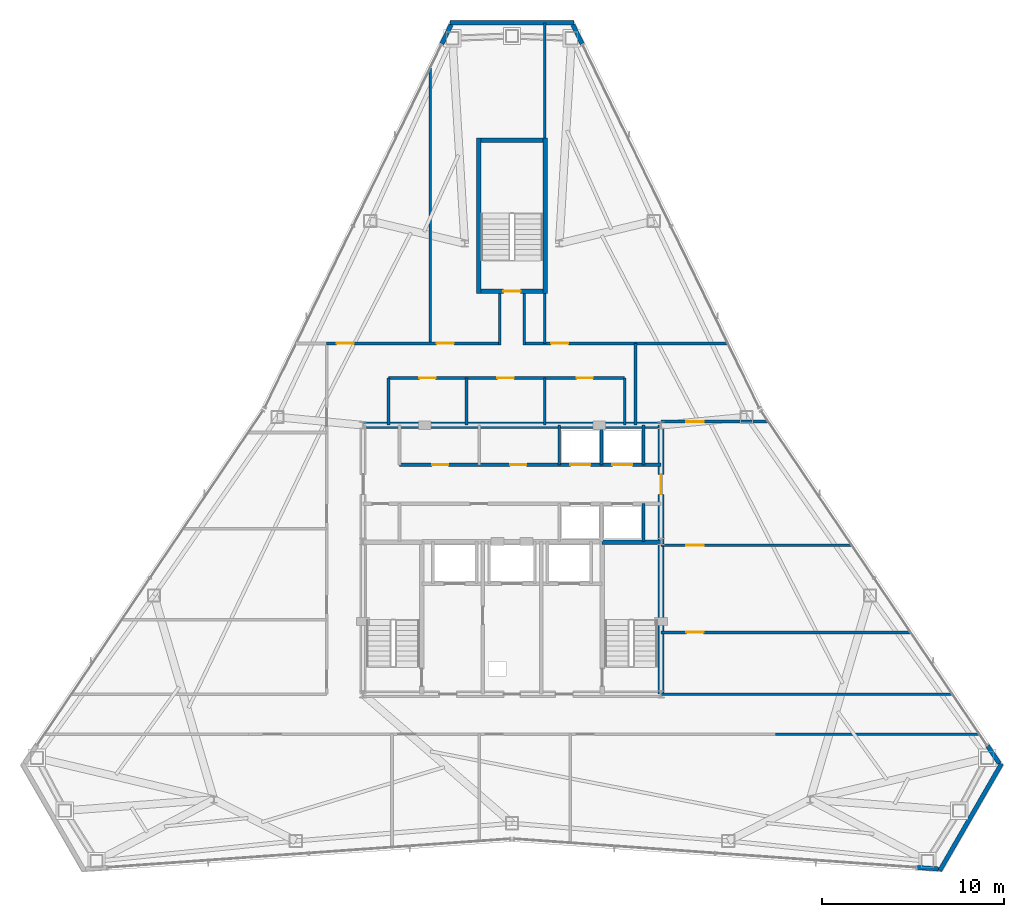
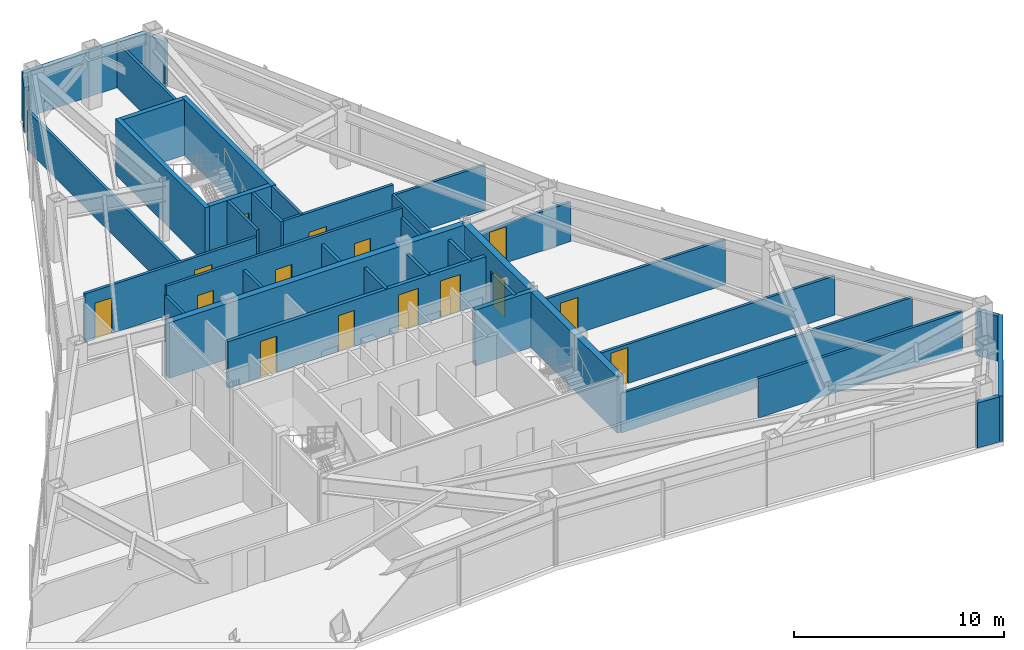
# One storey, part 10 of 12: 37 walls, 15 doors, 15 openings.
"""IFC4 building model written with IfcOpenShell, lengths in metres."""

from ifc_helpers import new_model, si_unit, direction, frame, frame_2d, origin, place, context, subcontext, project, spatial, rectangle, extrude, material, layer, layer_set, type_object, element, fill, save


model = new_model("IFC4")

# Units and contexts
model_context = context("Model", 3, precision=1e-05, world=origin(), true_north=direction((0.0, 1.0)))
body_context = subcontext(model_context, "Body", "Model", "MODEL_VIEW")
ifc_project = project(units=[si_unit("LENGTHUNIT", "METRE"), si_unit("AREAUNIT", "SQUARE_METRE"), si_unit("VOLUMEUNIT", "CUBIC_METRE"), si_unit("PLANEANGLEUNIT", "RADIAN"), si_unit("MASSUNIT", "GRAM", prefix="KILO")], contexts=[model_context])

# Site, building, storey
site_placement = place(None, origin())
site = spatial("IfcSite", under=ifc_project, at=site_placement, CompositionType="ELEMENT")
building_placement = place(site_placement, origin())
building = spatial("IfcBuilding", under=site, at=building_placement, Name="Varakhsha Concourse Tower", CompositionType="ELEMENT")
storey_placement = place(building_placement, frame((0.0, 0.0, 204.89990234375)))
storey = spatial("IfcBuildingStorey", under=building, at=storey_placement, Name="L58", CompositionType="ELEMENT", Elevation=204.89990234375)

# Wall
ifc_material_1 = material(Name="Concrete fc 65 MPa", Category="concrete")
ifc_layer_1 = layer(ifc_material_1, 0.35009765625, Name="WL-CORE-350")
ifc_layer_set_1 = layer_set([ifc_layer_1], Name="Concrete fc 65 MPa")
wall_type_1 = type_object("IfcWallType", Name="WL-CORE-350", PredefinedType="SHEAR", material=ifc_layer_set_1)
wall_1_placement = place(storey_placement, frame((31.800048828125, 31.199951171875, 0.0), z_axis=(0.0, 0.0, 1.0), x_axis=(1.0, 0.0, 0.0)))
element("IfcWall", 1, at=wall_1_placement, inside=storey, type_object=wall_type_1, Name="L58 Wall CWALL-N-L58", PredefinedType="SHEAR", context=body_context, shape_type="SweptSolid", body=[
    extrude(rectangle(XDim=16.39990234375, YDim=0.35009765625, at=frame_2d((8.199951171875, 0.0))), origin(), (0.0, 0.0, 1.0), 3.25),
])

# Wall, opening, door
wall_2_placement = place(storey_placement, frame((48.199951171875, 16.39990234375, 0.0), z_axis=(0.0, 0.0, 1.0), x_axis=(0.0, 1.0, 0.0)))
wall_2 = element("IfcWall", 2, at=wall_2_placement, inside=storey, type_object=wall_type_1, Name="L58 Wall CWALL-E-L58", PredefinedType="SHEAR", context=body_context, shape_type="SweptSolid", body=[
    extrude(rectangle(XDim=14.800048828125, YDim=0.35009765625, at=frame_2d((7.39990234375, 0.0))), origin(), (0.0, 0.0, 1.0), 3.25),
])
opening_1_placement = place(wall_2_placement, frame((11.0, 0.0, 0.0)))
opening_1 = element("IfcOpeningElement", 3, at=opening_1_placement, cuts=wall_2, Name="Opening DL-01", PredefinedType="OPENING", context=body_context, shape_type="SweptSolid", body=[
    extrude(rectangle(XDim=1.10009765625, YDim=2.14990234375, at=frame_2d((0.550048828125, 1.074951171875))), frame((0.0, 0.18505859375, 0.0), z_axis=(0.0, -1.0, 0.0), x_axis=(1.0, 0.0, 0.0)), (0.0, 0.0, 1.0), 0.3701171875),
])
ifc_material_2 = material(Name="Anodised Bronze Architectural Aluminium AA 6063-T6", Category="aluminium")
door_type_1 = type_object("IfcDoorType", Name="DR-LOB-1100", OperationType="NOTDEFINED", PredefinedType="DOOR", material=ifc_material_2)
door_1_placement = place(opening_1_placement, origin())
door_1 = element("IfcDoor", 4, at=door_1_placement, inside=storey, type_object=door_type_1, Name="L58 Lift Lobby East Concourse Door", OperationType="SINGLE_SWING_RIGHT", OverallHeight=2.14990234375, OverallWidth=1.10009765625, PredefinedType="DOOR", context=body_context, shape_type="SweptSolid", body=[
    extrude(rectangle(XDim=1.10009765625, YDim=2.14990234375, at=frame_2d((0.550048828125, 1.074951171875))), frame((0.0, 0.02490234375, 0.0), z_axis=(0.0, -1.0, 0.0), x_axis=(1.0, 0.0, 0.0)), (0.0, 0.0, 1.0), 0.050048828125),
])
fill(opening_1, door_1)

# Walls
ifc_material_3 = material(Name="Concrete fc 45 MPa", Category="concrete")
ifc_layer_2 = layer(ifc_material_3, 0.239990234375, Name="WL-EXT-CRN-240")
ifc_layer_set_2 = layer_set([ifc_layer_2], Name="Concrete fc 45 MPa")
wall_type_2 = type_object("IfcWallType", Name="WL-EXT-CRN-240", PredefinedType="SHEAR", material=ifc_layer_set_2)
wall_3_placement = place(storey_placement, frame((36.60009765625, 53.337646484375, 0.0), z_axis=(0.0, 0.0, 1.0), x_axis=(1.0, 0.0, 0.0)))
element("IfcWall", 5, at=wall_3_placement, inside=storey, type_object=wall_type_2, Name="L58 Chamfer Wind-Corner Insulated Wall F1", PredefinedType="SHEAR", context=body_context, shape_type="SweptSolid", body=[
    extrude(rectangle(XDim=6.7998046875, YDim=0.239990234375, at=frame_2d((3.39990234375, 0.0))), origin(), (0.0, 0.0, 1.0), 2.623046875),
])
for number, where, z_axis, x_axis, name in (
    (6, (36.647705078125, 53.22998046875, 0.0), (0.0, 0.0, 1.0), (-0.437570803519, -0.89918395888, 0.0), "L58 Wind-Corner Shoulder Wall F2"),
    (7, (62.2998046875, 6.864501953125, 0.0), (0.0, 0.0, 1.0), (0.997485162718, -0.070875596345, 0.0), "L58 Wind-Corner Shoulder Wall F6"),
):
    element("IfcWall", number, at=place(storey_placement, frame(where, z_axis=z_axis, x_axis=x_axis)), inside=storey, type_object=wall_type_2, Name=name, PredefinedType="SHEAR", context=body_context, shape_type="SweptSolid", body=[
        extrude(rectangle(XDim=1.167724609375, YDim=0.239990234375, at=frame_2d((0.583984375, 0.0))), origin(), (0.0, 0.0, 1.0), 2.623046875),
    ])
wall_4_placement = place(storey_placement, frame((66.93408203125, 12.57568359375, 0.0), z_axis=(0.0, 0.0, 1.0), x_axis=(-0.500004222222, -0.866022966069, 0.0)))
element("IfcWall", 8, at=wall_4_placement, inside=storey, type_object=wall_type_2, Name="L58 Chamfer Wind-Corner Insulated Wall F7", PredefinedType="SHEAR", context=body_context, shape_type="SweptSolid", body=[
    extrude(rectangle(XDim=6.80029296875, YDim=0.239990234375, at=frame_2d((3.400146484375, 0.0))), origin(), (0.0, 0.0, 1.0), 2.623046875),
])
wall_5_placement = place(storey_placement, frame((66.81689453125, 12.58837890625, 0.0), z_axis=(0.0, 0.0, 1.0), x_axis=(-0.559997089768, 0.828494574183, 0.0)))
element("IfcWall", 9, at=wall_5_placement, inside=storey, type_object=wall_type_2, Name="L58 Wind-Corner Shoulder Wall F8", PredefinedType="SHEAR", context=body_context, shape_type="SweptSolid", body=[
    extrude(rectangle(XDim=1.16748046875, YDim=0.239990234375, at=frame_2d((0.583740234375, 0.0))), origin(), (0.0, 0.0, 1.0), 2.623046875),
])
wall_6_placement = place(storey_placement, frame((43.86328125, 52.179931640625, 0.0), z_axis=(0.0, 0.0, 1.0), x_axis=(-0.437570803519, 0.89918395888, 0.0)))
element("IfcWall", 10, at=wall_6_placement, inside=storey, type_object=wall_type_2, Name="L58 Wind-Corner Shoulder Wall F9", PredefinedType="SHEAR", context=body_context, shape_type="SweptSolid", body=[
    extrude(rectangle(XDim=1.167724609375, YDim=0.239990234375, at=frame_2d((0.583984375, 0.0))), origin(), (0.0, 0.0, 1.0), 2.623046875),
])

# Wall, openings, doors
ifc_material_4 = material(Name="Fire-Rated Type X Gypsum Partition Assembly", Category="gypsum")
ifc_layer_3 = layer(ifc_material_4, 0.14990234375, Name="WL-PART-150")
ifc_layer_set_3 = layer_set([ifc_layer_3], Name="Fire-Rated Type X Gypsum Partition Assembly")
wall_type_3 = type_object("IfcWallType", Name="WL-PART-150", PredefinedType="PARTITIONING", material=ifc_layer_set_3)
wall_7_placement = place(storey_placement, frame((33.199951171875, 33.800048828125, 0.0), z_axis=(0.0, 0.0, 1.0), x_axis=(1.0, 0.0, 0.0)))
wall_7 = element("IfcWall", 11, at=wall_7_placement, inside=storey, type_object=wall_type_3, Name="L58 Wall NBOH-N-L58", PredefinedType="PARTITIONING", context=body_context, shape_type="SweptSolid", body=[
    extrude(rectangle(XDim=13.0, YDim=0.14990234375, at=frame_2d((6.5, 0.0))), origin(), (0.0, 0.0, 1.0), 3.25),
])
opening_2_placement = place(wall_7_placement, frame((1.699951171875, 0.0, 0.0)))
opening_2 = element("IfcOpeningElement", 12, at=opening_2_placement, cuts=wall_7, Name="Opening DF-06", PredefinedType="OPENING", context=body_context, shape_type="SweptSolid", body=[
    extrude(rectangle(XDim=0.89990234375, YDim=2.10009765625, at=frame_2d((0.449951171875, 1.050048828125))), frame((0.0, 0.0849609375, 0.0), z_axis=(0.0, -1.0, 0.0), x_axis=(1.0, 0.0, 0.0)), (0.0, 0.0, 1.0), 0.169921875),
])
opening_3_placement = place(wall_7_placement, frame((6.0, 0.0, 0.0)))
opening_3 = element("IfcOpeningElement", 13, at=opening_3_placement, cuts=wall_7, Name="Opening DF-06", PredefinedType="OPENING", context=body_context, shape_type="SweptSolid", body=[
    extrude(rectangle(XDim=0.89990234375, YDim=2.10009765625, at=frame_2d((0.449951171875, 1.050048828125))), frame((0.0, 0.0849609375, 0.0), z_axis=(0.0, -1.0, 0.0), x_axis=(1.0, 0.0, 0.0)), (0.0, 0.0, 1.0), 0.169921875),
])
opening_4_placement = place(wall_7_placement, frame((10.35009765625, 0.0, 0.0)))
opening_4 = element("IfcOpeningElement", 14, at=opening_4_placement, cuts=wall_7, Name="Opening DF-06", PredefinedType="OPENING", context=body_context, shape_type="SweptSolid", body=[
    extrude(rectangle(XDim=0.89990234375, YDim=2.10009765625, at=frame_2d((0.449951171875, 1.050048828125))), frame((0.0, 0.0849609375, 0.0), z_axis=(0.0, -1.0, 0.0), x_axis=(1.0, 0.0, 0.0)), (0.0, 0.0, 1.0), 0.169921875),
])
ifc_material_5 = material(Name="Hollow Galvanised Steel Fire Door Assembly", Category="steel")
door_type_2 = type_object("IfcDoorType", Name="DR-FD60-900", OperationType="NOTDEFINED", PredefinedType="DOOR", material=ifc_material_5)
door_2_placement = place(opening_2_placement, origin())
door_2 = element("IfcDoor", 15, at=door_2_placement, inside=storey, type_object=door_type_2, Name="L58 Men Restroom WC Door", OperationType="SINGLE_SWING_LEFT", OverallHeight=2.10009765625, OverallWidth=0.89990234375, PredefinedType="DOOR", context=body_context, shape_type="SweptSolid", body=[
    extrude(rectangle(XDim=0.89990234375, YDim=2.10009765625, at=frame_2d((0.449951171875, 1.050048828125))), frame((0.0, 0.02490234375, 0.0), z_axis=(0.0, -1.0, 0.0), x_axis=(1.0, 0.0, 0.0)), (0.0, 0.0, 1.0), 0.050048828125),
])
fill(opening_2, door_2)
door_3_placement = place(opening_3_placement, origin())
door_3 = element("IfcDoor", 16, at=door_3_placement, inside=storey, type_object=door_type_2, Name="L58 Women Restroom WC Door", OperationType="SINGLE_SWING_RIGHT", OverallHeight=2.10009765625, OverallWidth=0.89990234375, PredefinedType="DOOR", context=body_context, shape_type="SweptSolid", body=[
    extrude(rectangle(XDim=0.89990234375, YDim=2.10009765625, at=frame_2d((0.449951171875, 1.050048828125))), frame((0.0, 0.02490234375, 0.0), z_axis=(0.0, -1.0, 0.0), x_axis=(1.0, 0.0, 0.0)), (0.0, 0.0, 1.0), 0.050048828125),
])
fill(opening_3, door_3)
door_4_placement = place(opening_4_placement, origin())
door_4 = element("IfcDoor", 17, at=door_4_placement, inside=storey, type_object=door_type_2, Name="L58 Accessible WC Door", OperationType="SINGLE_SWING_LEFT", OverallHeight=2.10009765625, OverallWidth=0.89990234375, PredefinedType="DOOR", context=body_context, shape_type="SweptSolid", body=[
    extrude(rectangle(XDim=0.89990234375, YDim=2.10009765625, at=frame_2d((0.449951171875, 1.050048828125))), frame((0.0, 0.02490234375, 0.0), z_axis=(0.0, -1.0, 0.0), x_axis=(1.0, 0.0, 0.0)), (0.0, 0.0, 1.0), 0.050048828125),
])
fill(opening_4, door_4)

# Walls
for number, where, z_axis, x_axis, name in (
    (18, (33.199951171875, 31.199951171875, 0.0), (0.0, 0.0, 1.0), (0.0, 1.0, 0.0), "L58 Wall NBOH-W-L58"),
    (19, (46.199951171875, 31.199951171875, 0.0), (0.0, 0.0, 1.0), (0.0, 1.0, 0.0), "L58 Wall NBOH-E-L58"),
    (20, (37.5, 31.199951171875, 0.0), (0.0, 0.0, 1.0), (0.0, 1.0, 0.0), "L58 Wall NBOH-D1-L58"),
    (21, (41.800048828125, 31.199951171875, 0.0), (0.0, 0.0, 1.0), (0.0, 1.0, 0.0), "L58 Wall NBOH-D2-L58"),
):
    element("IfcWall", number, at=place(storey_placement, frame(where, z_axis=z_axis, x_axis=x_axis)), inside=storey, type_object=wall_type_3, Name=name, PredefinedType="PARTITIONING", context=body_context, shape_type="SweptSolid", body=[
        extrude(rectangle(XDim=2.60009765625, YDim=0.14990234375, at=frame_2d((1.300048828125, 0.0))), origin(), (0.0, 0.0, 1.0), 2.705078125),
    ])
wall_8_placement = place(storey_placement, frame((54.5, 14.199951171875, 0.0), z_axis=(0.0, 0.0, 1.0), x_axis=(1.0, 0.0, 0.0)))
element("IfcWall", 22, at=wall_8_placement, inside=storey, type_object=wall_type_3, Name="L58 Wall CRW-SGAL-SE-L58", PredefinedType="PARTITIONING", context=body_context, shape_type="SweptSolid", body=[
    extrude(rectangle(XDim=11.221435546875, YDim=0.14990234375, at=frame_2d((5.61083984375, 0.0))), origin(), (0.0, 0.0, 1.0), 2.2919921875),
])
wall_9_placement = place(storey_placement, frame((48.199951171875, 16.39990234375, 0.0), z_axis=(0.0, 0.0, 1.0), x_axis=(1.0, 0.0, 0.0)))
element("IfcWall", 23, at=wall_9_placement, inside=storey, type_object=wall_type_3, Name="L58 Wall CRW-SGAL-NE-L58", PredefinedType="PARTITIONING", context=body_context, shape_type="SweptSolid", body=[
    extrude(rectangle(XDim=16.034423828125, YDim=0.14990234375, at=frame_2d((8.01708984375, 0.0))), origin(), (0.0, 0.0, 1.0), 2.2919921875),
])

# Wall, openings, doors
wall_10_placement = place(storey_placement, frame((29.800048828125, 35.699951171875, 0.0), z_axis=(0.0, 0.0, 1.0), x_axis=(1.0, 0.0, 0.0)))
wall_10 = element("IfcWall", 24, at=wall_10_placement, inside=storey, type_object=wall_type_3, Name="L58 Wall CRW-N-L58", PredefinedType="PARTITIONING", context=body_context, shape_type="SweptSolid", body=[
    extrude(rectangle(XDim=9.449951171875, YDim=0.14990234375, at=frame_2d((4.72509765625, 0.0))), origin(), (0.0, 0.0, 1.0), 2.8330078125),
])
opening_5_placement = place(wall_10_placement, frame((0.550048828125, 0.0, 0.0)))
opening_5 = element("IfcOpeningElement", 25, at=opening_5_placement, cuts=wall_10, Name="Opening DF-05", PredefinedType="OPENING", context=body_context, shape_type="SweptSolid", body=[
    extrude(rectangle(XDim=0.949951171875, YDim=2.10009765625, at=frame_2d((0.47509765625, 1.050048828125))), frame((0.0, 0.0849609375, 0.0), z_axis=(0.0, -1.0, 0.0), x_axis=(1.0, 0.0, 0.0)), (0.0, 0.0, 1.0), 0.169921875),
])
opening_6_placement = place(wall_10_placement, frame((6.050048828125, 0.0, 0.0)))
opening_6 = element("IfcOpeningElement", 26, at=opening_6_placement, cuts=wall_10, Name="Opening DF-05", PredefinedType="OPENING", context=body_context, shape_type="SweptSolid", body=[
    extrude(rectangle(XDim=0.949951171875, YDim=2.10009765625, at=frame_2d((0.47509765625, 1.050048828125))), frame((0.0, 0.0849609375, 0.0), z_axis=(0.0, -1.0, 0.0), x_axis=(1.0, 0.0, 0.0)), (0.0, 0.0, 1.0), 0.169921875),
])
door_type_3 = type_object("IfcDoorType", Name="DR-FD60-950", OperationType="NOTDEFINED", PredefinedType="DOOR", material=ifc_material_5)
door_5_placement = place(opening_5_placement, origin())
door_5 = element("IfcDoor", 27, at=door_5_placement, inside=storey, type_object=door_type_3, Name="L58 Mountain View Grand Corner Boardroom L58-N1 Door", OperationType="SINGLE_SWING_LEFT", OverallHeight=2.10009765625, OverallWidth=0.949951171875, PredefinedType="DOOR", context=body_context, shape_type="SweptSolid", body=[
    extrude(rectangle(XDim=0.949951171875, YDim=2.10009765625, at=frame_2d((0.47509765625, 1.050048828125))), frame((0.0, 0.02490234375, 0.0), z_axis=(0.0, -1.0, 0.0), x_axis=(1.0, 0.0, 0.0)), (0.0, 0.0, 1.0), 0.050048828125),
])
fill(opening_5, door_5)
door_6_placement = place(opening_6_placement, origin())
door_6 = element("IfcDoor", 28, at=door_6_placement, inside=storey, type_object=door_type_3, Name="L58 North Executive Director Suite L58-N2 Door", OperationType="SINGLE_SWING_RIGHT", OverallHeight=2.10009765625, OverallWidth=0.949951171875, PredefinedType="DOOR", context=body_context, shape_type="SweptSolid", body=[
    extrude(rectangle(XDim=0.949951171875, YDim=2.10009765625, at=frame_2d((0.47509765625, 1.050048828125))), frame((0.0, 0.02490234375, 0.0), z_axis=(0.0, -1.0, 0.0), x_axis=(1.0, 0.0, 0.0)), (0.0, 0.0, 1.0), 0.050048828125),
])
fill(opening_6, door_6)

# Wall, opening, door
wall_11_placement = place(storey_placement, frame((40.75, 35.699951171875, 0.0), z_axis=(0.0, 0.0, 1.0), x_axis=(1.0, 0.0, 0.0)))
wall_11 = element("IfcWall", 29, at=wall_11_placement, inside=storey, type_object=wall_type_3, Name="L58 Wall CRW-N-L58-B", PredefinedType="PARTITIONING", context=body_context, shape_type="SweptSolid", body=[
    extrude(rectangle(XDim=6.050048828125, YDim=0.14990234375, at=frame_2d((3.02490234375, 0.0))), origin(), (0.0, 0.0, 1.0), 3.25),
])
opening_7_placement = place(wall_11_placement, frame((1.39990234375, 0.0, 0.0)))
opening_7 = element("IfcOpeningElement", 30, at=opening_7_placement, cuts=wall_11, Name="Opening DF-05", PredefinedType="OPENING", context=body_context, shape_type="SweptSolid", body=[
    extrude(rectangle(XDim=0.949951171875, YDim=2.10009765625, at=frame_2d((0.47509765625, 1.050048828125))), frame((0.0, 0.0849609375, 0.0), z_axis=(0.0, -1.0, 0.0), x_axis=(1.0, 0.0, 0.0)), (0.0, 0.0, 1.0), 0.169921875),
])
door_7_placement = place(opening_7_placement, origin())
door_7 = element("IfcDoor", 31, at=door_7_placement, inside=storey, type_object=door_type_3, Name="L58 North Executive Director Suite L58-N3 Door", OperationType="SINGLE_SWING_LEFT", OverallHeight=2.10009765625, OverallWidth=0.949951171875, PredefinedType="DOOR", context=body_context, shape_type="SweptSolid", body=[
    extrude(rectangle(XDim=0.949951171875, YDim=2.10009765625, at=frame_2d((0.47509765625, 1.050048828125))), frame((0.0, 0.02490234375, 0.0), z_axis=(0.0, -1.0, 0.0), x_axis=(1.0, 0.0, 0.0)), (0.0, 0.0, 1.0), 0.050048828125),
])
fill(opening_7, door_7)

# Walls
wall_12_placement = place(storey_placement, frame((46.800048828125, 31.199951171875, 0.0), z_axis=(0.0, 0.0, 1.0), x_axis=(0.0, 1.0, 0.0)))
element("IfcWall", 32, at=wall_12_placement, inside=storey, type_object=wall_type_3, Name="L58 Wall CRW-NE-L58", PredefinedType="PARTITIONING", context=body_context, shape_type="SweptSolid", body=[
    extrude(rectangle(XDim=4.5, YDim=0.14990234375, at=frame_2d((2.25, 0.0))), origin(), (0.0, 0.0, 1.0), 2.705078125),
])
wall_13_placement = place(storey_placement, frame((46.800048828125, 35.699951171875, 0.0), z_axis=(0.0, 0.0, 1.0), x_axis=(1.0, 0.0, 0.0)))
element("IfcWall", 33, at=wall_13_placement, inside=storey, type_object=wall_type_3, Name="L58 Wall ODIV-EBN-L58", PredefinedType="PARTITIONING", context=body_context, shape_type="SweptSolid", body=[
    extrude(rectangle(XDim=5.07568359375, YDim=0.14990234375, at=frame_2d((2.537841796875, 0.0))), origin(), (0.0, 0.0, 1.0), 2.628173828125),
])

# Wall, opening, door
wall_14_placement = place(storey_placement, frame((48.199951171875, 19.800048828125, 0.0), z_axis=(0.0, 0.0, 1.0), x_axis=(1.0, 0.0, 0.0)))
wall_14 = element("IfcWall", 34, at=wall_14_placement, inside=storey, type_object=wall_type_3, Name="L58 Wall ODIV-E1-L58", PredefinedType="PARTITIONING", context=body_context, shape_type="SweptSolid", body=[
    extrude(rectangle(XDim=13.736328125, YDim=0.14990234375, at=frame_2d((6.8681640625, 0.0))), origin(), (0.0, 0.0, 1.0), 2.2919921875),
])
opening_8_placement = place(wall_14_placement, frame((1.39990234375, 0.0, 0.0)))
opening_8 = element("IfcOpeningElement", 35, at=opening_8_placement, cuts=wall_14, Name="Opening DF-05", PredefinedType="OPENING", context=body_context, shape_type="SweptSolid", body=[
    extrude(rectangle(XDim=0.949951171875, YDim=2.10009765625, at=frame_2d((0.47509765625, 1.050048828125))), frame((0.0, 0.0849609375, 0.0), z_axis=(0.0, -1.0, 0.0), x_axis=(1.0, 0.0, 0.0)), (0.0, 0.0, 1.0), 0.169921875),
])
door_8_placement = place(opening_8_placement, origin())
door_8 = element("IfcDoor", 36, at=door_8_placement, inside=storey, type_object=door_type_3, Name="L58 East Suite Interconnect Door 1", OperationType="SINGLE_SWING_LEFT", OverallHeight=2.10009765625, OverallWidth=0.949951171875, PredefinedType="DOOR", context=body_context, shape_type="SweptSolid", body=[
    extrude(rectangle(XDim=0.949951171875, YDim=2.10009765625, at=frame_2d((0.47509765625, 1.050048828125))), frame((0.0, 0.02490234375, 0.0), z_axis=(0.0, -1.0, 0.0), x_axis=(1.0, 0.0, 0.0)), (0.0, 0.0, 1.0), 0.050048828125),
])
fill(opening_8, door_8)

wall_15_placement = place(storey_placement, frame((48.199951171875, 24.60009765625, 0.0), z_axis=(0.0, 0.0, 1.0), x_axis=(1.0, 0.0, 0.0)))
wall_15 = element("IfcWall", 37, at=wall_15_placement, inside=storey, type_object=wall_type_3, Name="L58 Wall ODIV-E2-L58", PredefinedType="PARTITIONING", context=body_context, shape_type="SweptSolid", body=[
    extrude(rectangle(XDim=10.491943359375, YDim=0.14990234375, at=frame_2d((5.24609375, 0.0))), origin(), (0.0, 0.0, 1.0), 2.628173828125),
])
opening_9_placement = place(wall_15_placement, frame((1.39990234375, 0.0, 0.0)))
opening_9 = element("IfcOpeningElement", 38, at=opening_9_placement, cuts=wall_15, Name="Opening DF-05", PredefinedType="OPENING", context=body_context, shape_type="SweptSolid", body=[
    extrude(rectangle(XDim=0.949951171875, YDim=2.10009765625, at=frame_2d((0.47509765625, 1.050048828125))), frame((0.0, 0.0849609375, 0.0), z_axis=(0.0, -1.0, 0.0), x_axis=(1.0, 0.0, 0.0)), (0.0, 0.0, 1.0), 0.169921875),
])
door_9_placement = place(opening_9_placement, origin())
door_9 = element("IfcDoor", 39, at=door_9_placement, inside=storey, type_object=door_type_3, Name="L58 East Suite Interconnect Door 2", OperationType="SINGLE_SWING_RIGHT", OverallHeight=2.10009765625, OverallWidth=0.949951171875, PredefinedType="DOOR", context=body_context, shape_type="SweptSolid", body=[
    extrude(rectangle(XDim=0.949951171875, YDim=2.10009765625, at=frame_2d((0.47509765625, 1.050048828125))), frame((0.0, 0.02490234375, 0.0), z_axis=(0.0, -1.0, 0.0), x_axis=(1.0, 0.0, 0.0)), (0.0, 0.0, 1.0), 0.050048828125),
])
fill(opening_9, door_9)

wall_16_placement = place(storey_placement, frame((48.199951171875, 31.39990234375, 0.0), z_axis=(0.0, 0.0, 1.0), x_axis=(1.0, 0.0, 0.0)))
wall_16 = element("IfcWall", 40, at=wall_16_placement, inside=storey, type_object=wall_type_3, Name="L58 Wall ODIV-E3-L58", PredefinedType="PARTITIONING", context=body_context, shape_type="SweptSolid", body=[
    extrude(rectangle(XDim=5.895751953125, YDim=0.14990234375, at=frame_2d((2.94775390625, 0.0))), origin(), (0.0, 0.0, 1.0), 2.2919921875),
])
opening_10_placement = place(wall_16_placement, frame((1.39990234375, 0.0, 0.0)))
opening_10 = element("IfcOpeningElement", 41, at=opening_10_placement, cuts=wall_16, Name="Opening DF-05", PredefinedType="OPENING", context=body_context, shape_type="SweptSolid", body=[
    extrude(rectangle(XDim=0.949951171875, YDim=2.10009765625, at=frame_2d((0.47509765625, 1.050048828125))), frame((0.0, 0.0849609375, 0.0), z_axis=(0.0, -1.0, 0.0), x_axis=(1.0, 0.0, 0.0)), (0.0, 0.0, 1.0), 0.169921875),
])
door_10_placement = place(opening_10_placement, origin())
door_10 = element("IfcDoor", 42, at=door_10_placement, inside=storey, type_object=door_type_3, Name="L58 East Suite Interconnect Door 3", OperationType="SINGLE_SWING_LEFT", OverallHeight=2.10009765625, OverallWidth=0.949951171875, PredefinedType="DOOR", context=body_context, shape_type="SweptSolid", body=[
    extrude(rectangle(XDim=0.949951171875, YDim=2.10009765625, at=frame_2d((0.47509765625, 1.050048828125))), frame((0.0, 0.02490234375, 0.0), z_axis=(0.0, -1.0, 0.0), x_axis=(1.0, 0.0, 0.0)), (0.0, 0.0, 1.0), 0.050048828125),
])
fill(opening_10, door_10)

# Walls
wall_17_placement = place(storey_placement, frame((35.5, 35.699951171875, 0.0), z_axis=(0.0, 0.0, 1.0), x_axis=(0.0, 1.0, 0.0)))
element("IfcWall", 43, at=wall_17_placement, inside=storey, type_object=wall_type_3, Name="L58 Wall ODIV-N1-L58", PredefinedType="PARTITIONING", context=body_context, shape_type="SweptSolid", body=[
    extrude(rectangle(XDim=15.15966796875, YDim=0.14990234375, at=frame_2d((7.579833984375, 0.0))), origin(), (0.0, 0.0, 1.0), 2.2919921875),
])
wall_18_placement = place(storey_placement, frame((41.800048828125, 35.699951171875, 0.0), z_axis=(0.0, 0.0, 1.0), x_axis=(0.0, 1.0, 0.0)))
element("IfcWall", 44, at=wall_18_placement, inside=storey, type_object=wall_type_3, Name="L58 Wall ODIV-N2-L58", PredefinedType="PARTITIONING", context=body_context, shape_type="SweptSolid", body=[
    extrude(rectangle(XDim=2.75, YDim=0.14990234375, at=frame_2d((1.375, 0.0))), origin(), (0.0, 0.0, 1.0), 3.25),
])
wall_19_placement = place(storey_placement, frame((41.800048828125, 47.0, 0.0), z_axis=(0.0, 0.0, 1.0), x_axis=(0.0, 1.0, 0.0)))
element("IfcWall", 45, at=wall_19_placement, inside=storey, type_object=wall_type_3, Name="L58 Wall ODIV-N2-L58-B", PredefinedType="PARTITIONING", context=body_context, shape_type="SweptSolid", body=[
    extrude(rectangle(XDim=6.332763671875, YDim=0.14990234375, at=frame_2d((3.16650390625, 0.0))), origin(), (0.0, 0.0, 1.0), 2.628173828125),
])
for number, where, z_axis, x_axis, name in (
    (46, (39.324951171875, 35.625, 0.0), (0.0, 0.0, 1.0), (0.0, 1.0, 0.0), "L58 Wall STUB-W-L58"),
    (47, (40.675048828125, 35.625, 0.0), (0.0, 0.0, 1.0), (0.0, 1.0, 0.0), "L58 Wall STUB-E-L58"),
):
    element("IfcWall", number, at=place(storey_placement, frame(where, z_axis=z_axis, x_axis=x_axis)), inside=storey, type_object=wall_type_3, Name=name, PredefinedType="PARTITIONING", context=body_context, shape_type="SweptSolid", body=[
        extrude(rectangle(XDim=2.824951171875, YDim=0.14990234375, at=frame_2d((1.41259765625, 0.0))), origin(), (0.0, 0.0, 1.0), 3.25),
    ])

# Wall, openings, doors
ifc_layer_4 = layer(ifc_material_4, 0.199951171875, Name="WL-SHAFT-220")
ifc_layer_set_4 = layer_set([ifc_layer_4], Name="Fire-Rated Type X Gypsum Partition Assembly")
wall_type_4 = type_object("IfcWallType", Name="WL-SHAFT-220", PredefinedType="SOLIDWALL", material=ifc_layer_set_4)
wall_20_placement = place(storey_placement, frame((33.820068359375, 29.02001953125, 0.0), z_axis=(0.0, 0.0, 1.0), x_axis=(1.0, 0.0, 0.0)))
wall_20 = element("IfcWall", 48, at=wall_20_placement, inside=storey, type_object=wall_type_4, Name="L58 Wall PLW-N-L58", PredefinedType="SOLIDWALL", context=body_context, shape_type="SweptSolid", body=[
    extrude(rectangle(XDim=14.3798828125, YDim=0.199951171875, at=frame_2d((7.18994140625, 0.0))), origin(), (0.0, 0.0, 1.0), 2.705078125),
])
opening_11_placement = place(wall_20_placement, frame((1.780029296875, 0.0, 0.0)))
opening_11 = element("IfcOpeningElement", 49, at=opening_11_placement, cuts=wall_20, Name="Opening DF-06", PredefinedType="OPENING", context=body_context, shape_type="SweptSolid", body=[
    extrude(rectangle(XDim=0.89990234375, YDim=2.10009765625, at=frame_2d((0.449951171875, 1.050048828125))), frame((0.0, 0.10986328125, 0.0), z_axis=(0.0, -1.0, 0.0), x_axis=(1.0, 0.0, 0.0)), (0.0, 0.0, 1.0), 0.219970703125),
])
opening_12_placement = place(wall_20_placement, frame((6.070068359375, 0.0, 0.0)))
opening_12 = element("IfcOpeningElement", 50, at=opening_12_placement, cuts=wall_20, Name="Opening DF-06", PredefinedType="OPENING", context=body_context, shape_type="SweptSolid", body=[
    extrude(rectangle(XDim=0.89990234375, YDim=2.10009765625, at=frame_2d((0.449951171875, 1.050048828125))), frame((0.0, 0.10986328125, 0.0), z_axis=(0.0, -1.0, 0.0), x_axis=(1.0, 0.0, 0.0)), (0.0, 0.0, 1.0), 0.219970703125),
])
opening_13_placement = place(wall_20_placement, frame((9.389892578125, 0.0, 0.0)))
opening_13 = element("IfcOpeningElement", 51, at=opening_13_placement, cuts=wall_20, Name="Opening LD-LF-P09", PredefinedType="OPENING", context=body_context, shape_type="SweptSolid", body=[
    extrude(rectangle(XDim=1.10009765625, YDim=2.14990234375, at=frame_2d((0.550048828125, 1.074951171875))), frame((0.0, 0.10986328125, 0.0), z_axis=(0.0, -1.0, 0.0), x_axis=(1.0, 0.0, 0.0)), (0.0, 0.0, 1.0), 0.219970703125),
])
opening_14_placement = place(wall_20_placement, frame((11.7099609375, 0.0, 0.0)))
opening_14 = element("IfcOpeningElement", 52, at=opening_14_placement, cuts=wall_20, Name="Opening LD-LF-P10", PredefinedType="OPENING", context=body_context, shape_type="SweptSolid", body=[
    extrude(rectangle(XDim=1.10009765625, YDim=2.14990234375, at=frame_2d((0.550048828125, 1.074951171875))), frame((0.0, 0.10986328125, 0.0), z_axis=(0.0, -1.0, 0.0), x_axis=(1.0, 0.0, 0.0)), (0.0, 0.0, 1.0), 0.219970703125),
])
door_11_placement = place(opening_11_placement, origin())
door_11 = element("IfcDoor", 53, at=door_11_placement, inside=storey, type_object=door_type_2, Name="L58 Tenant Archive and IT Server Room Door", OperationType="SINGLE_SWING_LEFT", OverallHeight=2.10009765625, OverallWidth=0.89990234375, PredefinedType="DOOR", context=body_context, shape_type="SweptSolid", body=[
    extrude(rectangle(XDim=0.89990234375, YDim=2.10009765625, at=frame_2d((0.449951171875, 1.050048828125))), frame((0.0, 0.02490234375, 0.0), z_axis=(0.0, -1.0, 0.0), x_axis=(1.0, 0.0, 0.0)), (0.0, 0.0, 1.0), 0.050048828125),
])
fill(opening_11, door_11)
door_12_placement = place(opening_12_placement, origin())
door_12 = element("IfcDoor", 54, at=door_12_placement, inside=storey, type_object=door_type_2, Name="L58 Core Facility Closet N1 Door", OperationType="SINGLE_SWING_RIGHT", OverallHeight=2.10009765625, OverallWidth=0.89990234375, PredefinedType="DOOR", context=body_context, shape_type="SweptSolid", body=[
    extrude(rectangle(XDim=0.89990234375, YDim=2.10009765625, at=frame_2d((0.449951171875, 1.050048828125))), frame((0.0, 0.02490234375, 0.0), z_axis=(0.0, -1.0, 0.0), x_axis=(1.0, 0.0, 0.0)), (0.0, 0.0, 1.0), 0.050048828125),
])
fill(opening_12, door_12)
ifc_material_6 = material(Name="Brushed Austenitic Stainless Steel AISI 316", Category="steel")
door_type_4 = type_object("IfcDoorType", Name="DR-LD-1100", OperationType="DOUBLE_DOOR_SLIDING", PredefinedType="DOOR", material=ifc_material_6)
door_13_placement = place(opening_13_placement, origin())
door_13 = element("IfcDoor", 55, at=door_13_placement, inside=storey, type_object=door_type_4, Name="Lift Landing Door LF-P09 L58", OperationType="DOUBLE_DOOR_SLIDING", OverallHeight=2.14990234375, OverallWidth=1.10009765625, PredefinedType="DOOR", context=body_context, shape_type="SweptSolid", body=[
    extrude(rectangle(XDim=1.10009765625, YDim=2.14990234375, at=frame_2d((0.550048828125, 1.074951171875))), frame((0.0, 0.02490234375, 0.0), z_axis=(0.0, -1.0, 0.0), x_axis=(1.0, 0.0, 0.0)), (0.0, 0.0, 1.0), 0.050048828125),
])
fill(opening_13, door_13)
door_14_placement = place(opening_14_placement, origin())
door_14 = element("IfcDoor", 56, at=door_14_placement, inside=storey, type_object=door_type_4, Name="Lift Landing Door LF-P10 L58", OperationType="DOUBLE_DOOR_SLIDING", OverallHeight=2.14990234375, OverallWidth=1.10009765625, PredefinedType="DOOR", context=body_context, shape_type="SweptSolid", body=[
    extrude(rectangle(XDim=1.10009765625, YDim=2.14990234375, at=frame_2d((0.550048828125, 1.074951171875))), frame((0.0, 0.02490234375, 0.0), z_axis=(0.0, -1.0, 0.0), x_axis=(1.0, 0.0, 0.0)), (0.0, 0.0, 1.0), 0.050048828125),
])
fill(opening_14, door_14)

# Walls
for number, where, z_axis, x_axis, name in (
    (57, (42.60009765625, 29.02001953125, 0.0), (0.0, 0.0, 1.0), (0.0, 1.0, 0.0), "L58 Wall SHW-LF-P09-W-L58"),
    (58, (44.919921875, 29.02001953125, 0.0), (0.0, 0.0, 1.0), (0.0, 1.0, 0.0), "L58 Wall SHW-LF-P09-E-L58"),
    (59, (47.239990234375, 29.02001953125, 0.0), (0.0, 0.0, 1.0), (0.0, 1.0, 0.0), "L58 Wall SHW-LF-P10-E-L58"),
):
    element("IfcWall", number, at=place(storey_placement, frame(where, z_axis=z_axis, x_axis=x_axis)), inside=storey, type_object=wall_type_4, Name=name, PredefinedType="SOLIDWALL", context=body_context, shape_type="SweptSolid", body=[
        extrude(rectangle(XDim=2.179931640625, YDim=0.159912109375, at=frame_2d((1.08984375, 0.0))), origin(), (0.0, 0.0, 1.0), 2.705078125),
    ])
wall_21_placement = place(storey_placement, frame((47.239990234375, 24.800048828125, 0.0), z_axis=(0.0, 0.0, 1.0), x_axis=(0.0, 1.0, 0.0)))
element("IfcWall", 60, at=wall_21_placement, inside=storey, type_object=wall_type_4, Name="L58 Wall SHW-LF-P12-E-L58", PredefinedType="SOLIDWALL", context=body_context, shape_type="SweptSolid", body=[
    extrude(rectangle(XDim=2.079833984375, YDim=0.159912109375, at=frame_2d((1.0400390625, 0.0))), origin(), (0.0, 0.0, 1.0), 3.25),
])
ifc_layer_5 = layer(ifc_material_3, 0.25, Name="WL-STAIR-250")
ifc_layer_set_5 = layer_set([ifc_layer_5], Name="Concrete fc 45 MPa")
wall_type_5 = type_object("IfcWallType", Name="WL-STAIR-250", PredefinedType="SHEAR", material=ifc_layer_set_5)
wall_22_placement = place(storey_placement, frame((44.955078125, 24.7548828125, 0.0), z_axis=(0.0, 0.0, 1.0), x_axis=(1.0, 0.0, 0.0)))
element("IfcWall", 61, at=wall_22_placement, inside=storey, type_object=wall_type_5, Name="L58 Wall SWALL-ST2-N-L58", PredefinedType="SHEAR", context=body_context, shape_type="SweptSolid", body=[
    extrude(rectangle(XDim=3.244873046875, YDim=0.25, at=frame_2d((1.62255859375, 0.0))), origin(), (0.0, 0.0, 1.0), 3.25),
])
for number, where, z_axis, x_axis, name in (
    (62, (38.175048828125, 38.449951171875, 0.0), (0.0, 0.0, 1.0), (0.0, 1.0, 0.0), "L58 Wall SWALL-ST5-W-L58"),
    (63, (41.824951171875, 38.449951171875, 0.0), (0.0, 0.0, 1.0), (0.0, 1.0, 0.0), "L58 Wall SWALL-ST5-E-L58"),
):
    element("IfcWall", number, at=place(storey_placement, frame(where, z_axis=z_axis, x_axis=x_axis)), inside=storey, type_object=wall_type_5, Name=name, PredefinedType="SHEAR", context=body_context, shape_type="SweptSolid", body=[
        extrude(rectangle(XDim=8.550048828125, YDim=0.25, at=frame_2d((4.27490234375, 0.0))), origin(), (0.0, 0.0, 1.0), 3.25),
    ])

# Wall, opening, door
wall_23_placement = place(storey_placement, frame((38.300048828125, 38.574951171875, 0.0), z_axis=(0.0, 0.0, 1.0), x_axis=(1.0, 0.0, 0.0)))
wall_23 = element("IfcWall", 64, at=wall_23_placement, inside=storey, type_object=wall_type_5, Name="L58 Wall SWALL-ST5-S-L58", PredefinedType="SHEAR", context=body_context, shape_type="SweptSolid", body=[
    extrude(rectangle(XDim=3.39990234375, YDim=0.25, at=frame_2d((1.699951171875, 0.0))), origin(), (0.0, 0.0, 1.0), 3.25),
])
opening_15_placement = place(wall_23_placement, frame((1.22509765625, 0.0, 0.0)))
opening_15 = element("IfcOpeningElement", 65, at=opening_15_placement, cuts=wall_23, Name="Opening DF-03", PredefinedType="OPENING", context=body_context, shape_type="SweptSolid", body=[
    extrude(rectangle(XDim=0.949951171875, YDim=2.10009765625, at=frame_2d((0.47509765625, 1.050048828125))), frame((0.0, 0.135009765625, 0.0), z_axis=(0.0, -1.0, 0.0), x_axis=(1.0, 0.0, 0.0)), (0.0, 0.0, 1.0), 0.27001953125),
])
door_type_5 = type_object("IfcDoorType", Name="DR-FD90-950", OperationType="NOTDEFINED", PredefinedType="DOOR", material=ifc_material_5)
door_15_placement = place(opening_15_placement, origin())
door_15 = element("IfcDoor", 66, at=door_15_placement, inside=storey, type_object=door_type_5, Name="L58 Stair ST5 Fire Door", OperationType="SINGLE_SWING_RIGHT", OverallHeight=2.10009765625, OverallWidth=0.949951171875, PredefinedType="DOOR", context=body_context, shape_type="SweptSolid", body=[
    extrude(rectangle(XDim=0.949951171875, YDim=2.10009765625, at=frame_2d((0.47509765625, 1.050048828125))), frame((0.0, 0.02490234375, 0.0), z_axis=(0.0, -1.0, 0.0), x_axis=(1.0, 0.0, 0.0)), (0.0, 0.0, 1.0), 0.050048828125),
])
fill(opening_15, door_15)

# Wall
wall_24_placement = place(storey_placement, frame((38.300048828125, 46.875, 0.0), z_axis=(0.0, 0.0, 1.0), x_axis=(1.0, 0.0, 0.0)))
element("IfcWall", 67, at=wall_24_placement, inside=storey, type_object=wall_type_5, Name="L58 Wall SWALL-ST5-N-L58", PredefinedType="SHEAR", context=body_context, shape_type="SweptSolid", body=[
    extrude(rectangle(XDim=3.39990234375, YDim=0.25, at=frame_2d((1.699951171875, 0.0))), origin(), (0.0, 0.0, 1.0), 3.25),
])

save(model, "model.ifc")
